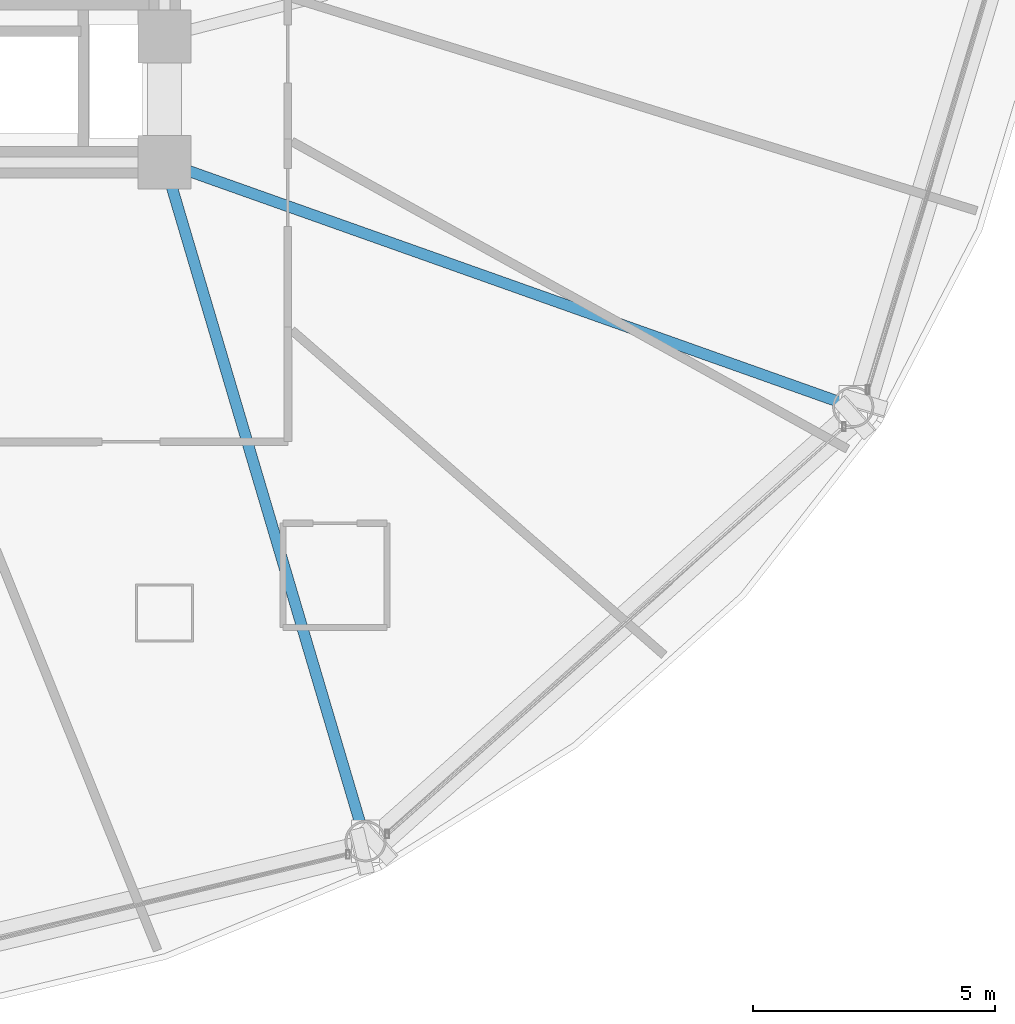
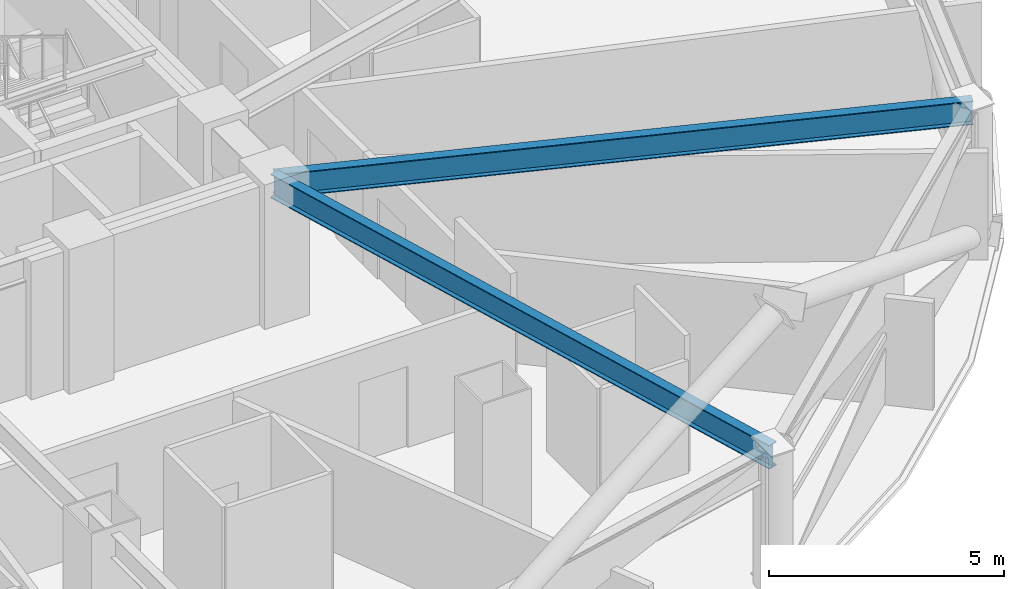
# One storey, part 9 of 30: 2 beams.
"""IFC4 building model written with IfcOpenShell, lengths in metres."""

import ifcopenshell
import ifcopenshell.guid

model = None  # the IFC model being written
_history = None  # IfcOwnerHistory: only IFC2X3 demands one
_inside = {}  # id of a spatial element -> (the spatial element, [elements in it])
_under = {}  # id of a project, library or spatial element -> (it, [spatial elements below it])
_declared = {}  # id of a project -> (the project, [libraries it declares])
_typed = {}  # id of a type object -> (the type object, [elements of that type])
_made_of = {}  # id of a material, layer set ... -> (it, [elements and type objects made of it])


def new_model(schema):
    """Start an empty IFC model of exactly this schema.

    Asked for "IFC4X3", IfcOpenShell would pick the latest addendum, in which some entities
    have other attributes; the version numbers below select the first issue.
    IFC2X3 requires an IfcOwnerHistory on every rooted entity: one is made here for all.
    """
    global model, _history
    if schema == "IFC4X3":
        model = ifcopenshell.file(schema_version=(4, 3, 0, 0))
    else:
        model = ifcopenshell.file(schema=schema)
    _inside.clear()
    _under.clear()
    _declared.clear()
    _typed.clear()
    _made_of.clear()
    _history = None
    if model.schema == "IFC2X3":
        org = make("IfcOrganization", Name="unknown")
        user = make(
            "IfcPersonAndOrganization",
            ThePerson=make("IfcPerson", FamilyName="unknown"),
            TheOrganization=org,
        )
        app = make(
            "IfcApplication",
            ApplicationDeveloper=org,
            Version="unknown",
            ApplicationFullName="unknown",
            ApplicationIdentifier="unknown",
        )
        _history = make(
            "IfcOwnerHistory",
            OwningUser=user,
            OwningApplication=app,
            ChangeAction="ADDED",
            CreationDate=0,
        )
    return model


def make(cls, **values):
    """One entity of the class cls with the attributes given. An attribute that is None is left unset."""
    return model.create_entity(
        cls, **{name: value for name, value in values.items() if value is not None}
    )


def rooted(cls, **values):
    """An entity with a GlobalId (a new one), such as an element, a storey or a relation."""
    return make(cls, GlobalId=ifcopenshell.guid.new(), OwnerHistory=_history, **values)


def si_unit(unit_type, name, prefix=None):
    """IfcSIUnit, for example si_unit("LENGTHUNIT", "METRE", prefix="MILLI")."""
    return make("IfcSIUnit", UnitType=unit_type, Prefix=prefix, Name=name)


def assignment(units):
    """IfcUnitAssignment: the units of a project."""
    return None if units is None else make("IfcUnitAssignment", Units=units)


def point(xyz):
    """IfcCartesianPoint."""
    return None if xyz is None else make("IfcCartesianPoint", Coordinates=xyz)


def direction(xyz):
    """IfcDirection."""
    return None if xyz is None else make("IfcDirection", DirectionRatios=xyz)


def frame(location, z_axis=None, x_axis=None):
    """IfcAxis2Placement3D, a coordinate frame: its origin and axes. An axis left out is left unset."""
    return make(
        "IfcAxis2Placement3D",
        Location=point(location),
        Axis=direction(z_axis),
        RefDirection=direction(x_axis),
    )


def frame_2d(location, x_axis=None):
    """IfcAxis2Placement2D, a coordinate frame in the plane: its origin and x axis."""
    return make(
        "IfcAxis2Placement2D", Location=point(location), RefDirection=direction(x_axis)
    )


def origin():
    """The frame at (0, 0, 0) with its axes left unset."""
    return frame((0.0, 0.0, 0.0))


def origin_2d():
    """The frame at (0, 0) in the plane with its x axis left unset."""
    return frame_2d((0.0, 0.0))


def place(relative_to, where):
    """IfcLocalPlacement: puts the frame where relative to a parent placement (None: the world)."""
    return make(
        "IfcLocalPlacement", PlacementRelTo=relative_to, RelativePlacement=where
    )


def context(
    kind, dimensions, precision=None, world=None, true_north=None, identifier=None
):
    """IfcGeometricRepresentationContext, for example the 3D "Model" context."""
    return make(
        "IfcGeometricRepresentationContext",
        ContextIdentifier=identifier,
        ContextType=kind,
        CoordinateSpaceDimension=dimensions,
        Precision=precision,
        WorldCoordinateSystem=world,
        TrueNorth=true_north,
    )


def subcontext(parent, identifier, kind, view, scale=None):
    """IfcGeometricRepresentationSubContext, for example "Body" below "Model"."""
    return make(
        "IfcGeometricRepresentationSubContext",
        ContextIdentifier=identifier,
        ContextType=kind,
        ParentContext=parent,
        TargetScale=scale,
        TargetView=view,
    )


def project(units=None, contexts=None):
    """IfcProject with its units and contexts."""
    return rooted(
        "IfcProject",
        Name="project",
        RepresentationContexts=contexts,
        UnitsInContext=assignment(units),
    )


def spatial(cls, under=None, at=None, **own):
    """A site, building, storey or space (cls), placed at a placement, below another one or the project."""
    s = rooted(cls, ObjectPlacement=at, **own)
    if under is not None:
        _under.setdefault(under.id(), (under, []))[1].append(s)
    return s


def profile(cls, at=None, kind="AREA", **sizes):
    """A parametric profile (cls). Its sizes go by their IFC names, for example OverallWidth=200.0."""
    return make(cls, ProfileType=kind, Position=at, **sizes)


def i_section(**sizes):
    """IfcIShapeProfileDef."""
    return profile("IfcIShapeProfileDef", **sizes)


def extrude(swept, where, along, depth):
    """IfcExtrudedAreaSolid: the profile swept, set in the frame where, extruded along a direction by depth."""
    return make(
        "IfcExtrudedAreaSolid",
        SweptArea=swept,
        Position=where,
        ExtrudedDirection=direction(along),
        Depth=depth,
    )


def shape(context_of_items, identifier, shape_type, items):
    """IfcShapeRepresentation: the items that make up one representation, for example the "Body"."""
    return make(
        "IfcShapeRepresentation",
        ContextOfItems=context_of_items,
        RepresentationIdentifier=identifier,
        RepresentationType=shape_type,
        Items=items,
    )


def material(Name=None, Category=None):
    """IfcMaterial."""
    return make("IfcMaterial", Name=Name, Category=Category)


def material_profile(
    of_material, cross_section, Name=None, Category=None, Priority=None
):
    """IfcMaterialProfile: a cross section and its material."""
    return make(
        "IfcMaterialProfile",
        Name=Name,
        Material=of_material,
        Profile=cross_section,
        Priority=Priority,
        Category=Category,
    )


def profile_set(profiles, Name=None, composite=None):
    """IfcMaterialProfileSet."""
    return make(
        "IfcMaterialProfileSet",
        Name=Name,
        MaterialProfiles=profiles,
        CompositeProfile=composite,
    )


def made_of(thing, what):
    """Note that an element or type object is made of a material, layer set ...; save() writes the relation."""
    if what is not None:
        _made_of.setdefault(what.id(), (what, []))[1].append(thing)
    return thing


def type_object(cls, material=None, **own):
    """A type object (cls), such as IfcWallType, which elements share."""
    return made_of(rooted(cls, **own), material)


def element(
    cls,
    number,
    at=None,
    inside=None,
    cuts=None,
    type_object=None,
    material=None,
    context=None,
    identifier="Body",
    shape_type=None,
    held_by="IfcProductDefinitionShape",
    body=None,
    shapes=None,
    **own,
):
    """One element of the class cls, such as IfcWall. Its Tag is "e" and its number.

    at: its placement. inside: the storey or other place that contains it. cuts: it is an
    opening in that element (IfcRelVoidsElement). A single representation is given by context,
    identifier, shape_type and body (its items); several are given by shapes. held_by: the class
    of the entity that holds the representations. save() writes the other relations.
    """
    e = rooted(cls, Tag="e%d" % number, ObjectPlacement=at, **own)
    if body is not None:
        shapes = [shape(context, identifier, shape_type, body)]
    if shapes is not None:
        e.Representation = make(held_by, Representations=shapes)
    if inside is not None:
        _inside.setdefault(inside.id(), (inside, []))[1].append(e)
    if cuts is not None:
        rooted(
            "IfcRelVoidsElement", RelatingBuildingElement=cuts, RelatedOpeningElement=e
        )
    if type_object is not None:
        _typed.setdefault(type_object.id(), (type_object, []))[1].append(e)
    return made_of(e, material)


def aggregate(whole, parts):
    """IfcRelAggregates: a whole, such as a stair, and the parts it consists of."""
    return rooted("IfcRelAggregates", RelatingObject=whole, RelatedObjects=parts)


def save(model, path):
    """Write the relations noted so far, then the file.

    IfcRelAggregates (storeys below a building ...), IfcRelContainedInSpatialStructure (elements
    in a storey), IfcRelDefinesByType, IfcRelAssociatesMaterial and IfcRelDeclares: one each for
    every whole, place, type object, material and project.
    """
    for whole, parts in _under.values():
        aggregate(whole, parts)
    for where, things in _inside.values():
        rooted(
            "IfcRelContainedInSpatialStructure",
            RelatedElements=things,
            RelatingStructure=where,
        )
    for kind, things in _typed.values():
        rooted("IfcRelDefinesByType", RelatedObjects=things, RelatingType=kind)
    for what, things in _made_of.values():
        rooted("IfcRelAssociatesMaterial", RelatedObjects=things, RelatingMaterial=what)
    for by, libraries in _declared.values():
        rooted("IfcRelDeclares", RelatingContext=by, RelatedDefinitions=libraries)
    model.write(path)


model = new_model("IFC4")

# Units and contexts
model_context = context("Model", 3, precision=1e-05, world=origin(), true_north=direction((0.0, 1.0)))
body_context = subcontext(model_context, "Body", "Model", "MODEL_VIEW")
ifc_project = project(units=[si_unit("LENGTHUNIT", "METRE"), si_unit("AREAUNIT", "SQUARE_METRE"), si_unit("VOLUMEUNIT", "CUBIC_METRE"), si_unit("PLANEANGLEUNIT", "RADIAN"), si_unit("MASSUNIT", "GRAM", prefix="KILO")], contexts=[model_context])

# Site, building, storey
site_placement = place(None, origin())
site = spatial("IfcSite", under=ifc_project, at=site_placement, CompositionType="ELEMENT")
building_placement = place(site_placement, origin())
building = spatial("IfcBuilding", under=site, at=building_placement, Name="Vantalir Tower", CompositionType="ELEMENT")
storey_placement = place(building_placement, frame((0.0, 0.0, 79.5)))
storey = spatial("IfcBuildingStorey", under=building, at=storey_placement, Name="L19", CompositionType="ELEMENT", Elevation=79.5)

# Beams
ifc_material = material(Name="Steel S355", Category="steel")
ifc_material_profile = material_profile(ifc_material, i_section(OverallWidth=0.22998046875, OverallDepth=0.616943359375, WebThickness=0.01318359375, FlangeThickness=0.022216796875, at=origin_2d()), Name="Steel S355")
ifc_profile_set = profile_set([ifc_material_profile], Name="Steel S355")
beam_type = type_object("IfcBeamType", Name="BM-RB-610x229", PredefinedType="BEAM", material=ifc_profile_set)
beam_1_placement = place(storey_placement, frame((45.25, 3.787109375, 3.261962890625), z_axis=(-0.283957507108, 0.958836865247, 0.0), x_axis=(-0.958836865247, -0.283957507108, 0.0)))
element("IfcBeam", 1, at=beam_1_placement, inside=storey, type_object=beam_type, Name="L19 Radial Floor Beam 11", PredefinedType="BEAM", context=body_context, shape_type="SweptSolid", body=[
    extrude(i_section(OverallWidth=0.22998046875, OverallDepth=0.616943359375, WebThickness=0.01318359375, FlangeThickness=0.022216796875, at=origin_2d()), origin(), (0.0, 0.0, 1.0), 14.614501953125),
])
beam_2_placement = place(storey_placement, frame((55.31591796875, 12.751953125, 3.261962890625), z_axis=(-0.942348909406, 0.334631936522, 0.0), x_axis=(-0.334631936522, -0.942348909406, 0.0)))
element("IfcBeam", 2, at=beam_2_placement, inside=storey, type_object=beam_type, Name="L19 Radial Floor Beam 12", PredefinedType="BEAM", context=body_context, shape_type="SweptSolid", body=[
    extrude(i_section(OverallWidth=0.22998046875, OverallDepth=0.616943359375, WebThickness=0.01318359375, FlangeThickness=0.022216796875, at=origin_2d()), origin(), (0.0, 0.0, 1.0), 15.08544921875),
])

save(model, "model.ifc")
